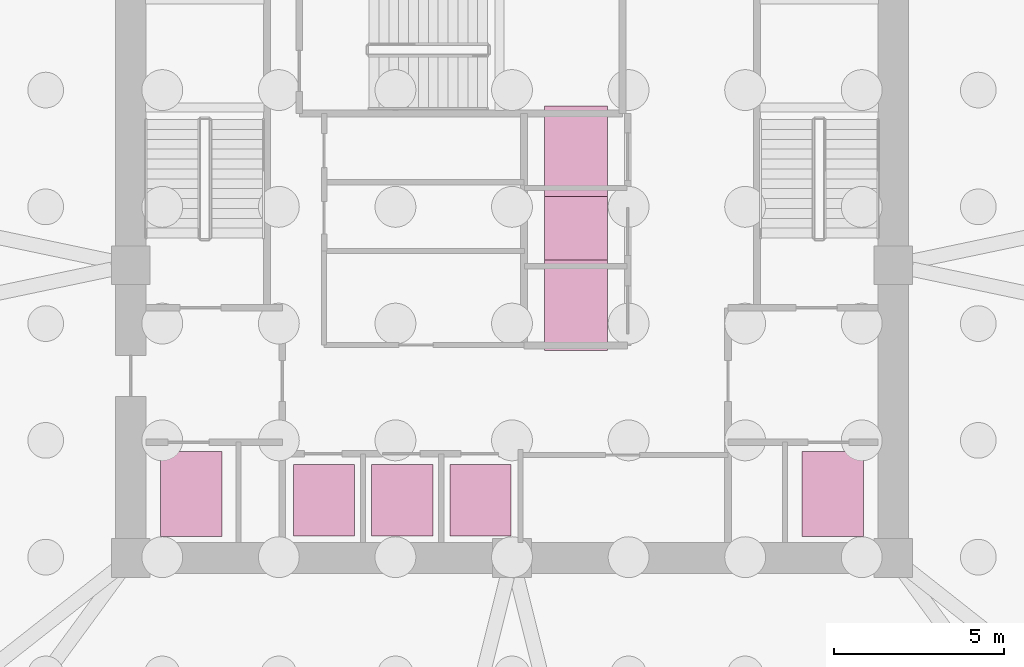
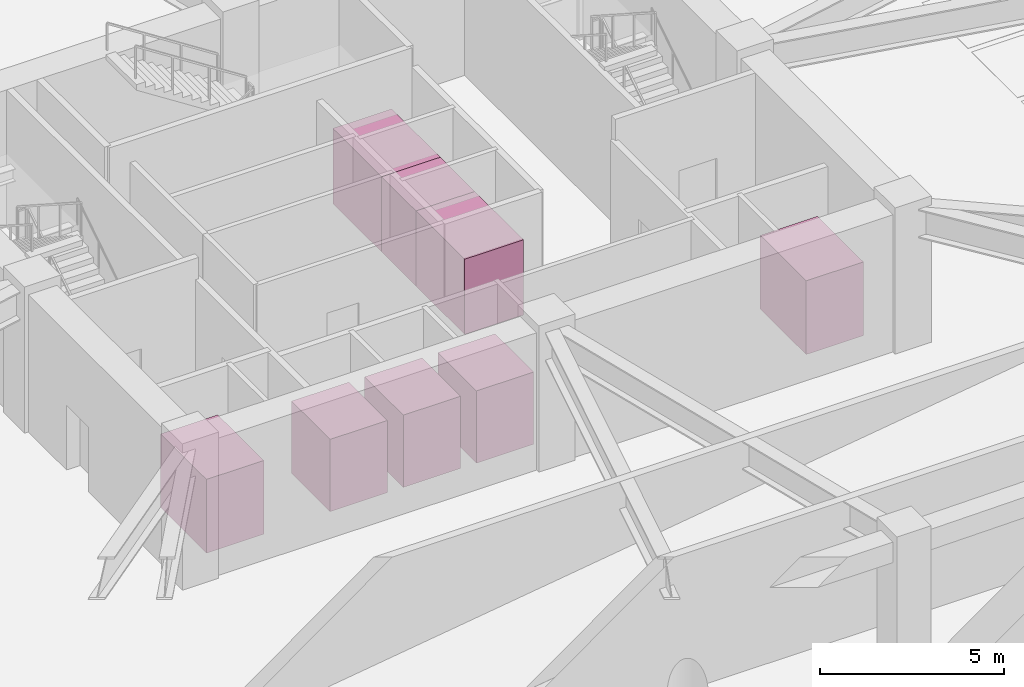
# One storey, part 11 of 11: 8 transport elements.
"""IFC4 building model written with IfcOpenShell, lengths in metres."""

from ifc_helpers import new_model, si_unit, derived_unit, direction, frame, origin, origin_2d, place, context, subcontext, project, spatial, rectangle, extrude, material, type_object, element, save


model = new_model("IFC4")

# Units and contexts
model_context = context("Model", 3, precision=1e-05, world=origin(), true_north=direction((0.0, 1.0)))
body_context = subcontext(model_context, "Body", "Model", "MODEL_VIEW")
ifc_project = project(units=[si_unit("LENGTHUNIT", "METRE"), si_unit("AREAUNIT", "SQUARE_METRE"), si_unit("VOLUMEUNIT", "CUBIC_METRE"), si_unit("PLANEANGLEUNIT", "RADIAN"), si_unit("MASSUNIT", "GRAM", prefix="KILO"), derived_unit("THERMALTRANSMITTANCEUNIT", [(si_unit("POWERUNIT", "WATT"), 1), (si_unit("LENGTHUNIT", "METRE"), -2), (si_unit("THERMODYNAMICTEMPERATUREUNIT", "KELVIN"), -1)])], contexts=[model_context])

# Site, building, storey
site_placement = place(None, origin())
site = spatial("IfcSite", under=ifc_project, at=site_placement, CompositionType="ELEMENT")
building_placement = place(site_placement, origin())
building = spatial("IfcBuilding", under=site, at=building_placement, Name="Koralith Skygarden Medical Center", CompositionType="ELEMENT")
storey_placement = place(building_placement, frame((0.0, 0.0, -9.719970703125)))
storey = spatial("IfcBuildingStorey", under=building, at=storey_placement, Name="B2", CompositionType="ELEMENT", Elevation=-9.719970703125)

# Transport elements
ifc_material = material(Name="Steel ASTM A500 Grade C", Category="steel")
transport_element_type_1 = type_object("IfcTransportElementType", Name="Fire Service Access Elevator Car 1800x2500", PredefinedType="ELEVATOR", material=ifc_material)
for number, where, z_axis, x_axis, name in (
    (1, (27.574951171875, 19.175048828125, 0.0), (0.0, 0.0, 1.0), (1.0, 0.0, 0.0), "Fire Service Access Elevator FF1"),
    (2, (46.425048828125, 19.175048828125, 0.0), (0.0, 0.0, 1.0), (1.0, 0.0, 0.0), "Fire Service Access Elevator FF2"),
):
    element("IfcTransportElement", number, at=place(storey_placement, frame(where, z_axis=z_axis, x_axis=x_axis)), inside=storey, type_object=transport_element_type_1, Name=name, PredefinedType="ELEVATOR", context=body_context, shape_type="SweptSolid", body=[
        extrude(rectangle(XDim=1.800048828125, YDim=2.5, at=origin_2d()), origin(), (0.0, 0.0, 1.0), 2.449951171875),
    ])
transport_element_type_2 = type_object("IfcTransportElementType", Name="Inpatient Bed & Trauma Elevator Car 1850x2650", PredefinedType="ELEVATOR", material=ifc_material)
for number, where, z_axis, x_axis, name in (
    (3, (38.875, 24.72509765625, 0.0), (0.0, 0.0, 1.0), (1.0, 0.0, 0.0), "Inpatient Bed Service Elevator BD1"),
    (4, (38.875, 27.02490234375, 0.0), (0.0, 0.0, 1.0), (1.0, 0.0, 0.0), "Soiled and Clean Logistics Service Elevator BD2"),
    (5, (38.875, 29.25, 0.0), (0.0, 0.0, 1.0), (1.0, 0.0, 0.0), "Express Helipad Trauma Service Elevator TR1"),
):
    element("IfcTransportElement", number, at=place(storey_placement, frame(where, z_axis=z_axis, x_axis=x_axis)), inside=storey, type_object=transport_element_type_2, Name=name, PredefinedType="ELEVATOR", context=body_context, shape_type="SweptSolid", body=[
        extrude(rectangle(XDim=1.85009765625, YDim=2.64990234375, at=origin_2d()), origin(), (0.0, 0.0, 1.0), 2.5),
    ])
transport_element_type_3 = type_object("IfcTransportElementType", Name="Passenger Elevator Car 1800x2100", PredefinedType="ELEVATOR", material=ifc_material)
for number, where, z_axis, x_axis, name in (
    (6, (31.47509765625, 19.0, 0.0), (0.0, 0.0, 1.0), (1.0, 0.0, 0.0), "Low-Rise Passenger Elevator PL1"),
    (7, (33.77490234375, 19.0, 0.0), (0.0, 0.0, 1.0), (1.0, 0.0, 0.0), "Low-Rise Passenger Elevator PL2"),
    (8, (36.074951171875, 19.0, 0.0), (0.0, 0.0, 1.0), (1.0, 0.0, 0.0), "Low-Rise Passenger Elevator PL3"),
):
    element("IfcTransportElement", number, at=place(storey_placement, frame(where, z_axis=z_axis, x_axis=x_axis)), inside=storey, type_object=transport_element_type_3, Name=name, PredefinedType="ELEVATOR", context=body_context, shape_type="SweptSolid", body=[
        extrude(rectangle(XDim=1.800048828125, YDim=2.10009765625, at=origin_2d()), origin(), (0.0, 0.0, 1.0), 2.39990234375),
    ])

save(model, "model.ifc")
